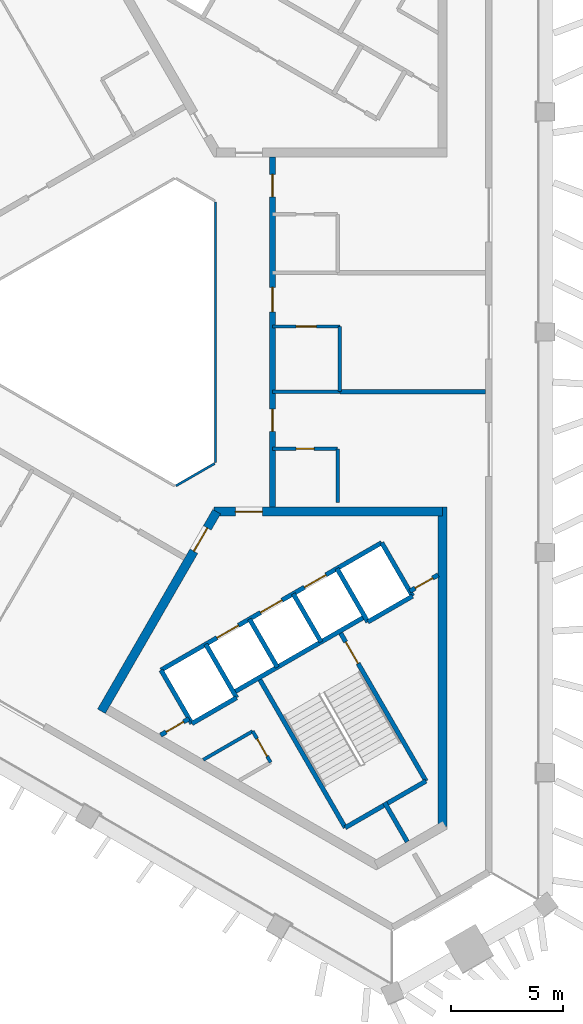
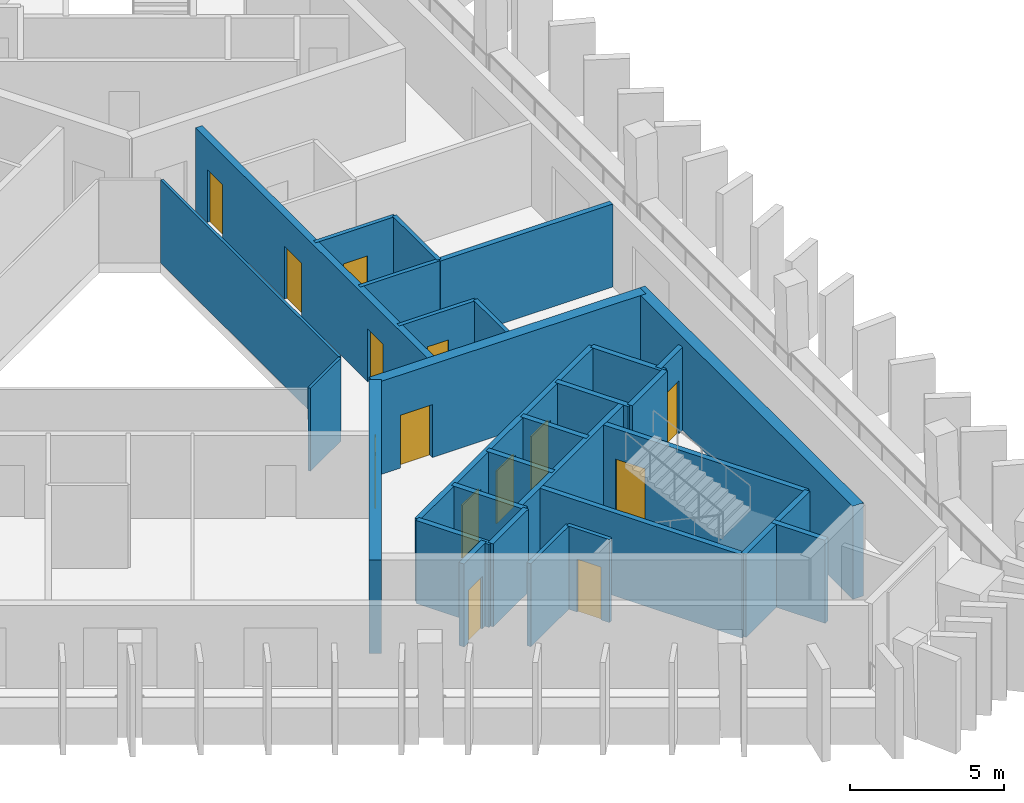
# One storey, part 3 of 10: 30 walls, 14 doors, 14 openings.
"""IFC4 building model written with IfcOpenShell, lengths in metres."""

from ifc_helpers import new_model, si_unit, direction, frame, frame_2d, origin, place, context, subcontext, project, spatial, rectangle, extrude, material, layer, layer_set, type_object, element, fill, save


model = new_model("IFC4")

# Units and contexts
model_context = context("Model", 3, precision=1e-05, world=origin(), true_north=direction((0.0, 1.0)))
body_context = subcontext(model_context, "Body", "Model", "MODEL_VIEW")
ifc_project = project(units=[si_unit("LENGTHUNIT", "METRE"), si_unit("AREAUNIT", "SQUARE_METRE"), si_unit("VOLUMEUNIT", "CUBIC_METRE"), si_unit("PLANEANGLEUNIT", "RADIAN"), si_unit("MASSUNIT", "GRAM", prefix="KILO")], contexts=[model_context])

# Site, building, storey
site_placement = place(None, origin())
site = spatial("IfcSite", under=ifc_project, at=site_placement, CompositionType="ELEMENT")
building_placement = place(site_placement, origin())
building = spatial("IfcBuilding", under=site, at=building_placement, Name="Jabali Bay Hotel Tower and Convention Centre", CompositionType="ELEMENT")
storey_placement = place(building_placement, frame((0.0, 0.0, 266.39990234375)))
storey = spatial("IfcBuildingStorey", under=building, at=storey_placement, Name="L65", CompositionType="ELEMENT", Elevation=266.39990234375)

# Walls
ifc_material_1 = material(Name="Fire-resistant glazing", Category="glass")
ifc_layer_1 = layer(ifc_material_1, 0.10009765625)
ifc_layer_set_1 = layer_set([ifc_layer_1], Name="Fire-resistant glazing")
wall_type_1 = type_object("IfcWallType", Name="Atrium glazed screen 100", PredefinedType="PARTITIONING", material=ifc_layer_set_1)
wall_1_placement = place(storey_placement, frame((79.56005859375, 74.205810546875, 0.0), z_axis=(0.0, 0.0, 1.0), x_axis=(0.0, 1.0, 0.0)))
element("IfcWall", 1, at=wall_1_placement, inside=storey, type_object=wall_type_1, Name="Atrium screen 1 L65", PredefinedType="PARTITIONING", context=body_context, shape_type="SweptSolid", body=[
    extrude(rectangle(XDim=11.58837890625, YDim=0.10009765625, at=frame_2d((5.794189453125, 0.0))), origin(), (0.0, 0.0, 1.0), 3.300048828125),
])
wall_2_placement = place(storey_placement, frame((77.7978515625, 73.15380859375, 0.0), z_axis=(0.0, 0.0, 1.0), x_axis=(0.866041268327, 0.499972520799, 0.0)))
element("IfcWall", 2, at=wall_2_placement, inside=storey, type_object=wall_type_1, Name="Atrium screen 6 L65", PredefinedType="PARTITIONING", context=body_context, shape_type="SweptSolid", body=[
    extrude(rectangle(XDim=2.0, YDim=0.10009765625, at=frame_2d((1.0, 0.0))), origin(), (0.0, 0.0, 1.0), 3.300048828125),
])
ifc_material_2 = material(Name="Concrete C40", Category="concrete")
ifc_layer_2 = layer(ifc_material_2, 0.199951171875)
ifc_layer_set_2 = layer_set([ifc_layer_2], Name="Concrete C40")
wall_type_2 = type_object("IfcWallType", Name="Core partition wall 200", PredefinedType="PARTITIONING", material=ifc_layer_set_2)
wall_3_placement = place(storey_placement, frame((87.090087890625, 59.0595703125, 0.0), z_axis=(0.0, 0.0, 1.0), x_axis=(0.499941815747, -0.866058993873, 0.0)))
element("IfcWall", 3, at=wall_3_placement, inside=storey, type_object=wall_type_2, Name="Core wall 2.5 L65", PredefinedType="PARTITIONING", context=body_context, shape_type="SweptSolid", body=[
    extrude(rectangle(XDim=2.023193359375, YDim=0.199951171875, at=frame_2d((1.01171875, 0.0))), origin(), (0.0, 0.0, 1.0), 3.300048828125),
])

# Wall, opening, door
wall_4_placement = place(storey_placement, frame((77.119873046875, 62.055908203125, 0.0), z_axis=(0.0, 0.0, 1.0), x_axis=(0.866054810376, 0.49994906283, 0.0)))
wall_4 = element("IfcWall", 4, at=wall_4_placement, inside=storey, type_object=wall_type_2, Name="Core wall 2.12 L65", PredefinedType="PARTITIONING", context=body_context, shape_type="SweptSolid", body=[
    extrude(rectangle(XDim=1.461181640625, YDim=0.199951171875, at=frame_2d((0.73046875, 0.0))), origin(), (0.0, 0.0, 1.0), 3.300048828125),
])
opening_1_placement = place(wall_4_placement, frame((0.280517578125, 0.0, 0.0)))
opening_1 = element("IfcOpeningElement", 5, at=opening_1_placement, cuts=wall_4, Name="Opening D1442", PredefinedType="OPENING", context=body_context, shape_type="SweptSolid", body=[
    extrude(rectangle(XDim=0.89990234375, YDim=2.10009765625, at=frame_2d((0.449951171875, 1.050048828125))), frame((0.0, 0.1103515625, 0.0), z_axis=(0.0, -1.0, 0.0), x_axis=(1.0, 0.0, 0.0)), (0.0, 0.0, 1.0), 0.220947265625),
])
ifc_material_3 = material(Name="Fire-rated steel door", Category="steel")
door_type_1 = type_object("IfcDoorType", Name="Vestibule fire door 900 x 2100", OperationType="NOTDEFINED", PredefinedType="NOTDEFINED", material=ifc_material_3)
door_1_placement = place(opening_1_placement, origin())
door_1 = element("IfcDoor", 6, at=door_1_placement, inside=storey, type_object=door_type_1, Name="Vestibule fire door D1442", OperationType="SINGLE_SWING_LEFT", OverallHeight=2.10009765625, OverallWidth=0.89990234375, PredefinedType="NOTDEFINED", context=body_context, shape_type="SweptSolid", body=[
    extrude(rectangle(XDim=0.89990234375, YDim=2.10009765625, at=frame_2d((0.449951171875, 1.050048828125))), frame((0.0, 0.02490234375, 0.0), z_axis=(0.0, -1.0, 0.0), x_axis=(1.0, 0.0, 0.0)), (0.0, 0.0, 1.0), 0.050048828125),
])
fill(opening_1, door_1)

wall_5_placement = place(storey_placement, frame((88.214599609375, 68.46142578125, 0.0), z_axis=(0.0, 0.0, 1.0), x_axis=(0.865982457891, 0.500074377092, 0.0)))
wall_5 = element("IfcWall", 7, at=wall_5_placement, inside=storey, type_object=wall_type_2, Name="Core wall 2.13 L65", PredefinedType="PARTITIONING", context=body_context, shape_type="SweptSolid", body=[
    extrude(rectangle(XDim=1.461181640625, YDim=0.199951171875, at=frame_2d((0.73046875, 0.0))), origin(), (0.0, 0.0, 1.0), 3.300048828125),
])
opening_2_placement = place(wall_5_placement, frame((0.280517578125, 0.0, 0.0)))
opening_2 = element("IfcOpeningElement", 8, at=opening_2_placement, cuts=wall_5, Name="Opening D1441", PredefinedType="OPENING", context=body_context, shape_type="SweptSolid", body=[
    extrude(rectangle(XDim=0.89990234375, YDim=2.10009765625, at=frame_2d((0.449951171875, 1.050048828125))), frame((0.0, 0.1103515625, 0.0), z_axis=(0.0, -1.0, 0.0), x_axis=(1.0, 0.0, 0.0)), (0.0, 0.0, 1.0), 0.220947265625),
])
door_2_placement = place(opening_2_placement, origin())
door_2 = element("IfcDoor", 9, at=door_2_placement, inside=storey, type_object=door_type_1, Name="Vestibule fire door D1441", OperationType="SINGLE_SWING_LEFT", OverallHeight=2.10009765625, OverallWidth=0.89990234375, PredefinedType="NOTDEFINED", context=body_context, shape_type="SweptSolid", body=[
    extrude(rectangle(XDim=0.89990234375, YDim=2.10009765625, at=frame_2d((0.449951171875, 1.050048828125))), frame((0.0, 0.02490234375, 0.0), z_axis=(0.0, -1.0, 0.0), x_axis=(1.0, 0.0, 0.0)), (0.0, 0.0, 1.0), 0.050048828125),
])
fill(opening_2, door_2)

ifc_material_4 = material(Name="Fire-rated board partition")
ifc_layer_3 = layer(ifc_material_4, 0.14990234375)
ifc_layer_set_3 = layer_set([ifc_layer_3], Name="Fire-rated board partition")
wall_type_3 = type_object("IfcWallType", Name="Core room partition 150", PredefinedType="PARTITIONING", material=ifc_layer_set_3)
wall_6_placement = place(storey_placement, frame((81.218994140625, 62.228515625, 0.0), z_axis=(0.0, 0.0, 1.0), x_axis=(0.499880961361, -0.866094119867, 0.0)))
wall_6 = element("IfcWall", 10, at=wall_6_placement, inside=storey, type_object=wall_type_3, Name="Core wall 2.1 L65", PredefinedType="PARTITIONING", context=body_context, shape_type="SweptSolid", body=[
    extrude(rectangle(XDim=1.60009765625, YDim=0.14990234375, at=frame_2d((0.800048828125, 0.0))), origin(), (0.0, 0.0, 1.0), 3.300048828125),
])
opening_3_placement = place(wall_6_placement, frame((0.387451171875, 0.0, 0.0)))
opening_3 = element("IfcOpeningElement", 11, at=opening_3_placement, cuts=wall_6, Name="Opening D1444", PredefinedType="OPENING", context=body_context, shape_type="SweptSolid", body=[
    extrude(rectangle(XDim=0.89990234375, YDim=2.10009765625, at=frame_2d((0.449951171875, 1.050048828125))), frame((0.0, 0.08544921875, 0.0), z_axis=(0.0, -1.0, 0.0), x_axis=(1.0, 0.0, 0.0)), (0.0, 0.0, 1.0), 0.1708984375),
])
door_type_2 = type_object("IfcDoorType", Name="Core room door 900 x 2100", OperationType="NOTDEFINED", PredefinedType="NOTDEFINED", material=ifc_material_3)
door_3_placement = place(opening_3_placement, origin())
door_3 = element("IfcDoor", 12, at=door_3_placement, inside=storey, type_object=door_type_2, Name="Core room door D1444", OperationType="SINGLE_SWING_LEFT", OverallHeight=2.10009765625, OverallWidth=0.89990234375, PredefinedType="NOTDEFINED", context=body_context, shape_type="SweptSolid", body=[
    extrude(rectangle(XDim=0.89990234375, YDim=2.10009765625, at=frame_2d((0.449951171875, 1.050048828125))), frame((0.0, 0.02490234375, 0.0), z_axis=(0.0, -1.0, 0.0), x_axis=(1.0, 0.0, 0.0)), (0.0, 0.0, 1.0), 0.050048828125),
])
fill(opening_3, door_3)

# Walls
wall_7_placement = place(storey_placement, frame((79.02001953125, 60.958984375, 0.0), z_axis=(0.0, 0.0, 1.0), x_axis=(0.866033475577, 0.499986018985, 0.0)))
element("IfcWall", 13, at=wall_7_placement, inside=storey, type_object=wall_type_3, Name="Core wall 2.16 L65", PredefinedType="PARTITIONING", context=body_context, shape_type="SweptSolid", body=[
    extrude(rectangle(XDim=2.5390625, YDim=0.14990234375, at=frame_2d((1.26953125, 0.0))), origin(), (0.0, 0.0, 1.0), 3.300048828125),
])
ifc_layer_4 = layer(ifc_material_2, 0.199951171875)
ifc_layer_set_4 = layer_set([ifc_layer_4], Name="Concrete C40")
wall_type_4 = type_object("IfcWallType", Name="Core stair wall 200", PredefinedType="SOLIDWALL", material=ifc_layer_set_4)
for number, where, z_axis, x_axis, name in (
    (14, (77.13525390625, 64.95166015625, 0.0), (0.0, 0.0, 1.0), (0.499996545922, -0.866027397988, 0.0), "Core wall 2.0 L65"),
    (15, (79.127197265625, 66.1015625, 0.0), (0.0, 0.0, 1.0), (0.499996545922, -0.866027397988, 0.0), "Core wall 2.2 L65"),
):
    element("IfcWall", number, at=place(storey_placement, frame(where, z_axis=z_axis, x_axis=x_axis)), inside=storey, type_object=wall_type_4, Name=name, PredefinedType="SOLIDWALL", context=body_context, shape_type="SweptSolid", body=[
        extrude(rectangle(XDim=2.75, YDim=0.199951171875, at=frame_2d((1.375, 0.0))), origin(), (0.0, 0.0, 1.0), 3.300048828125),
    ])
wall_8_placement = place(storey_placement, frame((81.492919921875, 64.603759765625, 0.0), z_axis=(0.0, 0.0, 1.0), x_axis=(0.500006057782, -0.866021906294, 0.0)))
element("IfcWall", 16, at=wall_8_placement, inside=storey, type_object=wall_type_4, Name="Core wall 2.3 L65", PredefinedType="SOLIDWALL", context=body_context, shape_type="SweptSolid", body=[
    extrude(rectangle(XDim=7.7001953125, YDim=0.199951171875, at=frame_2d((3.85009765625, 0.0))), origin(), (0.0, 0.0, 1.0), 3.300048828125),
])
for number, where, z_axis, x_axis, name in (
    (17, (81.07568359375, 67.2265625, 0.0), (0.0, 0.0, 1.0), (0.50000366821, -0.866023285932, 0.0), "Core wall 2.4 L65"),
    (18, (83.024169921875, 68.3515625, 0.0), (0.0, 0.0, 1.0), (0.50000366821, -0.866023285932, 0.0), "Core wall 2.6 L65"),
):
    element("IfcWall", number, at=place(storey_placement, frame(where, z_axis=z_axis, x_axis=x_axis)), inside=storey, type_object=wall_type_4, Name=name, PredefinedType="SOLIDWALL", context=body_context, shape_type="SweptSolid", body=[
        extrude(rectangle(XDim=2.47998046875, YDim=0.199951171875, at=frame_2d((1.239990234375, 0.0))), origin(), (0.0, 0.0, 1.0), 3.300048828125),
    ])

# Wall, opening, door
wall_9_placement = place(storey_placement, frame((85.0869140625, 66.6787109375, 0.0), z_axis=(0.0, 0.0, 1.0), x_axis=(0.500019787375, -0.866013979237, 0.0)))
wall_9 = element("IfcWall", 19, at=wall_9_placement, inside=storey, type_object=wall_type_4, Name="Core wall 2.7 L65", PredefinedType="SOLIDWALL", context=body_context, shape_type="SweptSolid", body=[
    extrude(rectangle(XDim=7.699951171875, YDim=0.199951171875, at=frame_2d((3.85009765625, 0.0))), origin(), (0.0, 0.0, 1.0), 3.300048828125),
])
opening_4_placement = place(wall_9_placement, frame((0.550048828125, 0.0, 0.0)))
opening_4 = element("IfcOpeningElement", 20, at=opening_4_placement, cuts=wall_9, Name="Opening D1443", PredefinedType="OPENING", context=body_context, shape_type="SweptSolid", body=[
    extrude(rectangle(XDim=1.10009765625, YDim=2.10009765625, at=frame_2d((0.550048828125, 1.050048828125))), frame((0.0, 0.1103515625, 0.0), z_axis=(0.0, -1.0, 0.0), x_axis=(1.0, 0.0, 0.0)), (0.0, 0.0, 1.0), 0.220947265625),
])
door_type_3 = type_object("IfcDoorType", Name="Stair fire door 1100 x 2100", OperationType="NOTDEFINED", PredefinedType="NOTDEFINED", material=ifc_material_3)
door_4_placement = place(opening_4_placement, origin())
door_4 = element("IfcDoor", 21, at=door_4_placement, inside=storey, type_object=door_type_3, Name="Stair fire door D1443", OperationType="SINGLE_SWING_RIGHT", OverallHeight=2.10009765625, OverallWidth=1.10009765625, PredefinedType="NOTDEFINED", context=body_context, shape_type="SweptSolid", body=[
    extrude(rectangle(XDim=1.10009765625, YDim=2.10009765625, at=frame_2d((0.550048828125, 1.050048828125))), frame((0.0, 0.02490234375, 0.0), z_axis=(0.0, -1.0, 0.0), x_axis=(1.0, 0.0, 0.0)), (0.0, 0.0, 1.0), 0.050048828125),
])
fill(opening_4, door_4)

# Walls
for number, where, z_axis, x_axis, name in (
    (22, (84.972900390625, 69.4765625, 0.0), (0.0, 0.0, 1.0), (0.499996545922, -0.866027397988, 0.0), "Core wall 2.8 L65"),
    (23, (86.964599609375, 70.62646484375, 0.0), (0.0, 0.0, 1.0), (0.499996545922, -0.866027397988, 0.0), "Core wall 2.9 L65"),
):
    element("IfcWall", number, at=place(storey_placement, frame(where, z_axis=z_axis, x_axis=x_axis)), inside=storey, type_object=wall_type_4, Name=name, PredefinedType="SOLIDWALL", context=body_context, shape_type="SweptSolid", body=[
        extrude(rectangle(XDim=2.75, YDim=0.199951171875, at=frame_2d((1.375, 0.0))), origin(), (0.0, 0.0, 1.0), 3.300048828125),
    ])

# Wall, openings, doors
wall_10_placement = place(storey_placement, frame((77.13525390625, 64.95166015625, 0.0), z_axis=(0.0, 0.0, 1.0), x_axis=(0.866031916153, 0.499988720078, 0.0)))
wall_10 = element("IfcWall", 24, at=wall_10_placement, inside=storey, type_object=wall_type_4, Name="Core wall 2.10 L65", PredefinedType="SOLIDWALL", context=body_context, shape_type="SweptSolid", body=[
    extrude(rectangle(XDim=11.349853515625, YDim=0.199951171875, at=frame_2d((5.6748046875, 0.0))), origin(), (0.0, 0.0, 1.0), 3.300048828125),
])
opening_5_placement = place(wall_10_placement, frame((2.875, 0.0, 0.0)))
opening_5 = element("IfcOpeningElement", 25, at=opening_5_placement, cuts=wall_10, Name="Opening LD12-L65", PredefinedType="OPENING", context=body_context, shape_type="SweptSolid", body=[
    extrude(rectangle(XDim=1.10009765625, YDim=2.10009765625, at=frame_2d((0.550048828125, 1.050048828125))), frame((0.0, 0.1103515625, 0.0), z_axis=(0.0, -1.0, 0.0), x_axis=(1.0, 0.0, 0.0)), (0.0, 0.0, 1.0), 0.220947265625),
])
opening_6_placement = place(wall_10_placement, frame((5.125, 0.0, 0.0)))
opening_6 = element("IfcOpeningElement", 26, at=opening_6_placement, cuts=wall_10, Name="Opening LD13-L65", PredefinedType="OPENING", context=body_context, shape_type="SweptSolid", body=[
    extrude(rectangle(XDim=1.10009765625, YDim=2.10009765625, at=frame_2d((0.550048828125, 1.050048828125))), frame((0.0, 0.1103515625, 0.0), z_axis=(0.0, -1.0, 0.0), x_axis=(1.0, 0.0, 0.0)), (0.0, 0.0, 1.0), 0.220947265625),
])
opening_7_placement = place(wall_10_placement, frame((7.375, 0.0, 0.0)))
opening_7 = element("IfcOpeningElement", 27, at=opening_7_placement, cuts=wall_10, Name="Opening LD14-L65", PredefinedType="OPENING", context=body_context, shape_type="SweptSolid", body=[
    extrude(rectangle(XDim=1.10009765625, YDim=2.10009765625, at=frame_2d((0.550048828125, 1.050048828125))), frame((0.0, 0.1103515625, 0.0), z_axis=(0.0, -1.0, 0.0), x_axis=(1.0, 0.0, 0.0)), (0.0, 0.0, 1.0), 0.220947265625),
])
ifc_material_5 = material(Name="Stainless steel landing door", Category="steel")
door_type_4 = type_object("IfcDoorType", Name="Landing door 1100 x 2100", OperationType="NOTDEFINED", PredefinedType="NOTDEFINED", material=ifc_material_5)
door_5_placement = place(opening_5_placement, origin())
door_5 = element("IfcDoor", 28, at=door_5_placement, inside=storey, type_object=door_type_4, Name="Landing doors LD12-L65", OperationType="SLIDING_TO_LEFT", OverallHeight=2.10009765625, OverallWidth=1.10009765625, PredefinedType="NOTDEFINED", context=body_context, shape_type="SweptSolid", body=[
    extrude(rectangle(XDim=1.10009765625, YDim=2.10009765625, at=frame_2d((0.550048828125, 1.050048828125))), frame((0.0, 0.02490234375, 0.0), z_axis=(0.0, -1.0, 0.0), x_axis=(1.0, 0.0, 0.0)), (0.0, 0.0, 1.0), 0.050048828125),
])
fill(opening_5, door_5)
door_6_placement = place(opening_6_placement, origin())
door_6 = element("IfcDoor", 29, at=door_6_placement, inside=storey, type_object=door_type_4, Name="Landing doors LD13-L65", OperationType="SLIDING_TO_RIGHT", OverallHeight=2.10009765625, OverallWidth=1.10009765625, PredefinedType="NOTDEFINED", context=body_context, shape_type="SweptSolid", body=[
    extrude(rectangle(XDim=1.10009765625, YDim=2.10009765625, at=frame_2d((0.550048828125, 1.050048828125))), frame((0.0, 0.02490234375, 0.0), z_axis=(0.0, -1.0, 0.0), x_axis=(1.0, 0.0, 0.0)), (0.0, 0.0, 1.0), 0.050048828125),
])
fill(opening_6, door_6)
door_7_placement = place(opening_7_placement, origin())
door_7 = element("IfcDoor", 30, at=door_7_placement, inside=storey, type_object=door_type_4, Name="Landing doors LD14-L65", OperationType="SLIDING_TO_LEFT", OverallHeight=2.10009765625, OverallWidth=1.10009765625, PredefinedType="NOTDEFINED", context=body_context, shape_type="SweptSolid", body=[
    extrude(rectangle(XDim=1.10009765625, YDim=2.10009765625, at=frame_2d((0.550048828125, 1.050048828125))), frame((0.0, 0.02490234375, 0.0), z_axis=(0.0, -1.0, 0.0), x_axis=(1.0, 0.0, 0.0)), (0.0, 0.0, 1.0), 0.050048828125),
])
fill(opening_7, door_7)

# Walls
wall_11_placement = place(storey_placement, frame((80.3671875, 63.953857421875, 0.0), z_axis=(0.0, 0.0, 1.0), x_axis=(0.866026575979, 0.499997969693, 0.0)))
element("IfcWall", 31, at=wall_11_placement, inside=storey, type_object=wall_type_4, Name="Core wall 2.11 L65", PredefinedType="SOLIDWALL", context=body_context, shape_type="SweptSolid", body=[
    extrude(rectangle(XDim=6.75, YDim=0.199951171875, at=frame_2d((3.375, 0.0))), origin(), (0.0, 0.0, 1.0), 3.300048828125),
])
wall_12_placement = place(storey_placement, frame((78.51025390625, 62.570068359375, 0.0), z_axis=(0.0, 0.0, 1.0), x_axis=(0.866053019151, 0.499952165731, 0.0)))
element("IfcWall", 32, at=wall_12_placement, inside=storey, type_object=wall_type_4, Name="Core wall 2.14 L65", PredefinedType="SOLIDWALL", context=body_context, shape_type="SweptSolid", body=[
    extrude(rectangle(XDim=2.300048828125, YDim=0.199951171875, at=frame_2d((1.14990234375, 0.0))), origin(), (0.0, 0.0, 1.0), 3.300048828125),
])
wall_13_placement = place(storey_placement, frame((86.347900390625, 67.094970703125, 0.0), z_axis=(0.0, 0.0, 1.0), x_axis=(0.86602648383, 0.499998129301, 0.0)))
element("IfcWall", 33, at=wall_13_placement, inside=storey, type_object=wall_type_4, Name="Core wall 2.15 L65", PredefinedType="SOLIDWALL", context=body_context, shape_type="SweptSolid", body=[
    extrude(rectangle(XDim=2.2998046875, YDim=0.199951171875, at=frame_2d((1.14990234375, 0.0))), origin(), (0.0, 0.0, 1.0), 3.300048828125),
])
wall_14_placement = place(storey_placement, frame((85.343017578125, 57.935302734375, 0.0), z_axis=(0.0, 0.0, 1.0), x_axis=(0.866004344652, 0.500036473714, 0.0)))
element("IfcWall", 34, at=wall_14_placement, inside=storey, type_object=wall_type_4, Name="Core wall 2.18 L65", PredefinedType="SOLIDWALL", context=body_context, shape_type="SweptSolid", body=[
    extrude(rectangle(XDim=4.150146484375, YDim=0.199951171875, at=frame_2d((2.0751953125, 0.0))), origin(), (0.0, 0.0, 1.0), 3.300048828125),
])

# Wall, opening, door
ifc_material_6 = material(Name="Concrete C60", Category="concrete")
ifc_layer_5 = layer(ifc_material_6, 0.39990234375)
ifc_layer_set_5 = layer_set([ifc_layer_5], Name="Concrete C60")
wall_type_5 = type_object("IfcWallType", Name="Core wall 400", PredefinedType="SHEAR", material=ifc_layer_set_5)
wall_15_placement = place(storey_placement, frame((79.615478515625, 72.005859375, 0.0), z_axis=(0.0, 0.0, 1.0), x_axis=(-0.50000177223, -0.866024380585, 0.0)))
wall_15 = element("IfcWall", 35, at=wall_15_placement, inside=storey, type_object=wall_type_5, Name="Core wall 3.1 L65", PredefinedType="SHEAR", context=body_context, shape_type="SweptSolid", body=[
    extrude(rectangle(XDim=10.2646484375, YDim=0.39990234375, at=frame_2d((5.13232421875, 0.0))), origin(), (0.0, 0.0, 1.0), 3.7001953125),
])
opening_8_placement = place(wall_15_placement, frame((0.83447265625, 0.0, 0.0)))
opening_8 = element("IfcOpeningElement", 36, at=opening_8_placement, cuts=wall_15, Name="Opening D1439", PredefinedType="OPENING", context=body_context, shape_type="SweptSolid", body=[
    extrude(rectangle(XDim=1.199951171875, YDim=2.10009765625, at=frame_2d((0.60009765625, 1.050048828125))), frame((0.0, 0.21044921875, 0.0), z_axis=(0.0, -1.0, 0.0), x_axis=(1.0, 0.0, 0.0)), (0.0, 0.0, 1.0), 0.4208984375),
])
door_type_5 = type_object("IfcDoorType", Name="Corridor end fire door 1200 x 2100", OperationType="NOTDEFINED", PredefinedType="NOTDEFINED", material=ifc_material_3)
door_8_placement = place(opening_8_placement, origin())
door_8 = element("IfcDoor", 37, at=door_8_placement, inside=storey, type_object=door_type_5, Name="Corridor end fire door D1439", OperationType="SINGLE_SWING_RIGHT", OverallHeight=2.10009765625, OverallWidth=1.199951171875, PredefinedType="NOTDEFINED", context=body_context, shape_type="SweptSolid", body=[
    extrude(rectangle(XDim=1.199951171875, YDim=2.10009765625, at=frame_2d((0.60009765625, 1.050048828125))), frame((0.0, 0.02490234375, 0.0), z_axis=(0.0, -1.0, 0.0), x_axis=(1.0, 0.0, 0.0)), (0.0, 0.0, 1.0), 0.050048828125),
])
fill(opening_8, door_8)

# Wall
wall_16_placement = place(storey_placement, frame((89.679931640625, 57.98779296875, 0.0), z_axis=(0.0, 0.0, 1.0), x_axis=(0.0, 1.0, 0.0)))
element("IfcWall", 38, at=wall_16_placement, inside=storey, type_object=wall_type_5, Name="Core wall 3.4 L65", PredefinedType="SHEAR", context=body_context, shape_type="SweptSolid", body=[
    extrude(rectangle(XDim=14.218017578125, YDim=0.39990234375, at=frame_2d((7.10888671875, 0.0))), origin(), (0.0, 0.0, 1.0), 3.7001953125),
])

# Wall, opening, door
wall_17_placement = place(storey_placement, frame((89.679931640625, 72.005859375, 0.0), z_axis=(0.0, 0.0, 1.0), x_axis=(-1.0, 0.0, 0.0)))
wall_17 = element("IfcWall", 39, at=wall_17_placement, inside=storey, type_object=wall_type_5, Name="Core wall 3.5 L65", PredefinedType="SHEAR", context=body_context, shape_type="SweptSolid", body=[
    extrude(rectangle(XDim=10.179931640625, YDim=0.39990234375, at=frame_2d((5.08984375, 0.0))), origin(), (0.0, 0.0, 1.0), 3.7001953125),
])
opening_9_placement = place(wall_17_placement, frame((8.030029296875, 0.0, 0.0)))
opening_9 = element("IfcOpeningElement", 40, at=opening_9_placement, cuts=wall_17, Name="Opening D1440", PredefinedType="OPENING", context=body_context, shape_type="SweptSolid", body=[
    extrude(rectangle(XDim=1.199951171875, YDim=2.10009765625, at=frame_2d((0.60009765625, 1.050048828125))), frame((0.0, 0.21044921875, 0.0), z_axis=(0.0, -1.0, 0.0), x_axis=(1.0, 0.0, 0.0)), (0.0, 0.0, 1.0), 0.4208984375),
])
door_9_placement = place(opening_9_placement, origin())
door_9 = element("IfcDoor", 41, at=door_9_placement, inside=storey, type_object=door_type_5, Name="Corridor end fire door D1440", OperationType="SINGLE_SWING_LEFT", OverallHeight=2.10009765625, OverallWidth=1.199951171875, PredefinedType="NOTDEFINED", context=body_context, shape_type="SweptSolid", body=[
    extrude(rectangle(XDim=1.199951171875, YDim=2.10009765625, at=frame_2d((0.60009765625, 1.050048828125))), frame((0.0, 0.02490234375, 0.0), z_axis=(0.0, -1.0, 0.0), x_axis=(1.0, 0.0, 0.0)), (0.0, 0.0, 1.0), 0.050048828125),
])
fill(opening_9, door_9)

# Wall, openings, doors
ifc_layer_6 = layer(ifc_material_6, 0.25)
ifc_layer_set_6 = layer_set([ifc_layer_6], Name="Concrete C60")
wall_type_6 = type_object("IfcWallType", Name="Corridor wall 250", PredefinedType="SHEAR", material=ifc_layer_set_6)
wall_18_placement = place(storey_placement, frame((82.10009765625, 72.205810546875, 0.0), z_axis=(0.0, 0.0, 1.0), x_axis=(0.0, 1.0, 0.0)))
wall_18 = element("IfcWall", 42, at=wall_18_placement, inside=storey, type_object=wall_type_6, Name="Corridor wall 1 L65", PredefinedType="SHEAR", context=body_context, shape_type="SweptSolid", body=[
    extrude(rectangle(XDim=15.58837890625, YDim=0.25, at=frame_2d((7.794189453125, 0.0))), origin(), (0.0, 0.0, 1.0), 3.300048828125),
])
opening_10_placement = place(wall_18_placement, frame((3.3720703125, 0.0, 0.0)))
opening_10 = element("IfcOpeningElement", 43, at=opening_10_placement, cuts=wall_18, Name="Opening 6502", PredefinedType="OPENING", context=body_context, shape_type="SweptSolid", body=[
    extrude(rectangle(XDim=1.0, YDim=2.10009765625, at=frame_2d((0.5, 1.050048828125))), frame((0.0, 0.135498046875, 0.0), z_axis=(0.0, -1.0, 0.0), x_axis=(1.0, 0.0, 0.0)), (0.0, 0.0, 1.0), 0.27099609375),
])
opening_11_placement = place(wall_18_placement, frame((8.694091796875, 0.0, 0.0)))
opening_11 = element("IfcOpeningElement", 44, at=opening_11_placement, cuts=wall_18, Name="Opening 6504", PredefinedType="OPENING", context=body_context, shape_type="SweptSolid", body=[
    extrude(rectangle(XDim=1.10009765625, YDim=2.10009765625, at=frame_2d((0.550048828125, 1.050048828125))), frame((0.0, 0.135498046875, 0.0), z_axis=(0.0, -1.0, 0.0), x_axis=(1.0, 0.0, 0.0)), (0.0, 0.0, 1.0), 0.27099609375),
])
opening_12_placement = place(wall_18_placement, frame((13.81640625, 0.0, 0.0)))
opening_12 = element("IfcOpeningElement", 45, at=opening_12_placement, cuts=wall_18, Name="Opening 6506", PredefinedType="OPENING", context=body_context, shape_type="SweptSolid", body=[
    extrude(rectangle(XDim=1.0, YDim=2.10009765625, at=frame_2d((0.5, 1.050048828125))), frame((0.0, 0.135498046875, 0.0), z_axis=(0.0, -1.0, 0.0), x_axis=(1.0, 0.0, 0.0)), (0.0, 0.0, 1.0), 0.27099609375),
])
ifc_material_7 = material(Name="Timber", Category="wood")
door_type_6 = type_object("IfcDoorType", Name="Accessible guest room door 1100 x 2100", OperationType="NOTDEFINED", PredefinedType="NOTDEFINED", material=ifc_material_7)
door_10_placement = place(opening_11_placement, origin())
door_10 = element("IfcDoor", 46, at=door_10_placement, inside=storey, type_object=door_type_6, Name="Door 6504", OperationType="SINGLE_SWING_RIGHT", OverallHeight=2.10009765625, OverallWidth=1.10009765625, PredefinedType="NOTDEFINED", context=body_context, shape_type="SweptSolid", body=[
    extrude(rectangle(XDim=1.10009765625, YDim=2.10009765625, at=frame_2d((0.550048828125, 1.050048828125))), frame((0.0, 0.02490234375, 0.0), z_axis=(0.0, -1.0, 0.0), x_axis=(1.0, 0.0, 0.0)), (0.0, 0.0, 1.0), 0.050048828125),
])
fill(opening_11, door_10)
door_type_7 = type_object("IfcDoorType", Name="Guest room door 1000 x 2100", OperationType="NOTDEFINED", PredefinedType="NOTDEFINED", material=ifc_material_7)
door_11_placement = place(opening_10_placement, origin())
door_11 = element("IfcDoor", 47, at=door_11_placement, inside=storey, type_object=door_type_7, Name="Door 6502", OperationType="SINGLE_SWING_LEFT", OverallHeight=2.10009765625, OverallWidth=1.0, PredefinedType="NOTDEFINED", context=body_context, shape_type="SweptSolid", body=[
    extrude(rectangle(XDim=1.0, YDim=2.10009765625, at=frame_2d((0.5, 1.050048828125))), frame((0.0, 0.02490234375, 0.0), z_axis=(0.0, -1.0, 0.0), x_axis=(1.0, 0.0, 0.0)), (0.0, 0.0, 1.0), 0.050048828125),
])
fill(opening_10, door_11)
door_12_placement = place(opening_12_placement, origin())
door_12 = element("IfcDoor", 48, at=door_12_placement, inside=storey, type_object=door_type_7, Name="Door 6506", OperationType="SINGLE_SWING_RIGHT", OverallHeight=2.10009765625, OverallWidth=1.0, PredefinedType="NOTDEFINED", context=body_context, shape_type="SweptSolid", body=[
    extrude(rectangle(XDim=1.0, YDim=2.10009765625, at=frame_2d((0.5, 1.050048828125))), frame((0.0, 0.02490234375, 0.0), z_axis=(0.0, -1.0, 0.0), x_axis=(1.0, 0.0, 0.0)), (0.0, 0.0, 1.0), 0.050048828125),
])
fill(opening_12, door_12)

# Wall, opening, door
ifc_material_8 = material(Name="Plasterboard on steel stud", Category="steel")
ifc_layer_7 = layer(ifc_material_8, 0.14990234375)
ifc_layer_set_7 = layer_set([ifc_layer_7], Name="Plasterboard on steel stud")
wall_type_7 = type_object("IfcWallType", Name="Partition 150 wet", PredefinedType="PARTITIONING", material=ifc_layer_set_7)
wall_19_placement = place(storey_placement, frame((82.10009765625, 74.8056640625, 0.0), z_axis=(0.0, 0.0, 1.0), x_axis=(1.0, 0.0, 0.0)))
wall_19 = element("IfcWall", 49, at=wall_19_placement, inside=storey, type_object=wall_type_7, Name="Partition P03 L65 001", PredefinedType="PARTITIONING", context=body_context, shape_type="SweptSolid", body=[
    extrude(rectangle(XDim=2.89990234375, YDim=0.14990234375, at=frame_2d((1.449951171875, 0.0))), origin(), (0.0, 0.0, 1.0), 3.300048828125),
])
opening_13_placement = place(wall_19_placement, frame((1.050048828125, 0.0, 0.0)))
opening_13 = element("IfcOpeningElement", 50, at=opening_13_placement, cuts=wall_19, Name="Opening 6501", PredefinedType="OPENING", context=body_context, shape_type="SweptSolid", body=[
    extrude(rectangle(XDim=0.800048828125, YDim=2.10009765625, at=frame_2d((0.39990234375, 1.050048828125))), frame((0.0, 0.08544921875, 0.0), z_axis=(0.0, -1.0, 0.0), x_axis=(1.0, 0.0, 0.0)), (0.0, 0.0, 1.0), 0.1708984375),
])
door_type_8 = type_object("IfcDoorType", Name="En-suite door 800 x 2100", OperationType="NOTDEFINED", PredefinedType="NOTDEFINED", material=ifc_material_7)
door_13_placement = place(opening_13_placement, origin())
door_13 = element("IfcDoor", 51, at=door_13_placement, inside=storey, type_object=door_type_8, Name="Door 6501", OperationType="SINGLE_SWING_LEFT", OverallHeight=2.10009765625, OverallWidth=0.800048828125, PredefinedType="NOTDEFINED", context=body_context, shape_type="SweptSolid", body=[
    extrude(rectangle(XDim=0.800048828125, YDim=2.10009765625, at=frame_2d((0.39990234375, 1.050048828125))), frame((0.0, 0.02490234375, 0.0), z_axis=(0.0, -1.0, 0.0), x_axis=(1.0, 0.0, 0.0)), (0.0, 0.0, 1.0), 0.050048828125),
])
fill(opening_13, door_13)

# Walls
wall_20_placement = place(storey_placement, frame((85.0, 74.8056640625, 0.0), z_axis=(0.0, 0.0, 1.0), x_axis=(0.0, -1.0, 0.0)))
element("IfcWall", 52, at=wall_20_placement, inside=storey, type_object=wall_type_7, Name="Partition P03 L65 002", PredefinedType="PARTITIONING", context=body_context, shape_type="SweptSolid", body=[
    extrude(rectangle(XDim=2.40087890625, YDim=0.14990234375, at=frame_2d((1.200439453125, 0.0))), origin(), (0.0, 0.0, 1.0), 3.300048828125),
])
wall_21_placement = place(storey_placement, frame((85.10009765625, 77.349853515625, 0.0), z_axis=(0.0, 0.0, 1.0), x_axis=(-1.0, 0.0, 0.0)))
element("IfcWall", 53, at=wall_21_placement, inside=storey, type_object=wall_type_7, Name="Partition P03 L65 004", PredefinedType="PARTITIONING", context=body_context, shape_type="SweptSolid", body=[
    extrude(rectangle(XDim=3.0, YDim=0.14990234375, at=frame_2d((1.5, 0.0))), origin(), (0.0, 0.0, 1.0), 3.300048828125),
])

# Wall, opening, door
wall_22_placement = place(storey_placement, frame((82.10009765625, 80.25, 0.0), z_axis=(0.0, 0.0, 1.0), x_axis=(1.0, 0.0, 0.0)))
wall_22 = element("IfcWall", 54, at=wall_22_placement, inside=storey, type_object=wall_type_7, Name="Partition P03 L65 006", PredefinedType="PARTITIONING", context=body_context, shape_type="SweptSolid", body=[
    extrude(rectangle(XDim=3.0, YDim=0.14990234375, at=frame_2d((1.5, 0.0))), origin(), (0.0, 0.0, 1.0), 3.300048828125),
])
opening_14_placement = place(wall_22_placement, frame((1.050048828125, 0.0, 0.0)))
opening_14 = element("IfcOpeningElement", 55, at=opening_14_placement, cuts=wall_22, Name="Opening 6503", PredefinedType="OPENING", context=body_context, shape_type="SweptSolid", body=[
    extrude(rectangle(XDim=0.89990234375, YDim=2.10009765625, at=frame_2d((0.449951171875, 1.050048828125))), frame((0.0, 0.08544921875, 0.0), z_axis=(0.0, -1.0, 0.0), x_axis=(1.0, 0.0, 0.0)), (0.0, 0.0, 1.0), 0.1708984375),
])
door_type_9 = type_object("IfcDoorType", Name="Accessible en-suite door 900 x 2100", OperationType="NOTDEFINED", PredefinedType="NOTDEFINED", material=ifc_material_7)
door_14_placement = place(opening_14_placement, origin())
door_14 = element("IfcDoor", 56, at=door_14_placement, inside=storey, type_object=door_type_9, Name="Door 6503", OperationType="SINGLE_SWING_RIGHT", OverallHeight=2.10009765625, OverallWidth=0.89990234375, PredefinedType="NOTDEFINED", context=body_context, shape_type="SweptSolid", body=[
    extrude(rectangle(XDim=0.89990234375, YDim=2.10009765625, at=frame_2d((0.449951171875, 1.050048828125))), frame((0.0, 0.02490234375, 0.0), z_axis=(0.0, -1.0, 0.0), x_axis=(1.0, 0.0, 0.0)), (0.0, 0.0, 1.0), 0.050048828125),
])
fill(opening_14, door_14)

# Walls
wall_23_placement = place(storey_placement, frame((85.10009765625, 80.25, 0.0), z_axis=(0.0, 0.0, 1.0), x_axis=(0.0, -1.0, 0.0)))
element("IfcWall", 57, at=wall_23_placement, inside=storey, type_object=wall_type_7, Name="Partition P03 L65 007", PredefinedType="PARTITIONING", context=body_context, shape_type="SweptSolid", body=[
    extrude(rectangle(XDim=2.900146484375, YDim=0.14990234375, at=frame_2d((1.4501953125, 0.0))), origin(), (0.0, 0.0, 1.0), 3.300048828125),
])
ifc_layer_8 = layer(ifc_material_8, 0.199951171875)
ifc_layer_set_8 = layer_set([ifc_layer_8], Name="Plasterboard on steel stud")
wall_type_8 = type_object("IfcWallType", Name="Partition 200 party", PredefinedType="PARTITIONING", material=ifc_layer_set_8)
wall_24_placement = place(storey_placement, frame((91.578369140625, 77.349853515625, 0.0), z_axis=(0.0, 0.0, 1.0), x_axis=(-1.0, 0.0, 0.0)))
element("IfcWall", 58, at=wall_24_placement, inside=storey, type_object=wall_type_8, Name="Partition P01 L65 003", PredefinedType="PARTITIONING", context=body_context, shape_type="SweptSolid", body=[
    extrude(rectangle(XDim=6.478271484375, YDim=0.199951171875, at=frame_2d((3.2392578125, 0.0))), origin(), (0.0, 0.0, 1.0), 3.300048828125),
])

save(model, "model.ifc")
